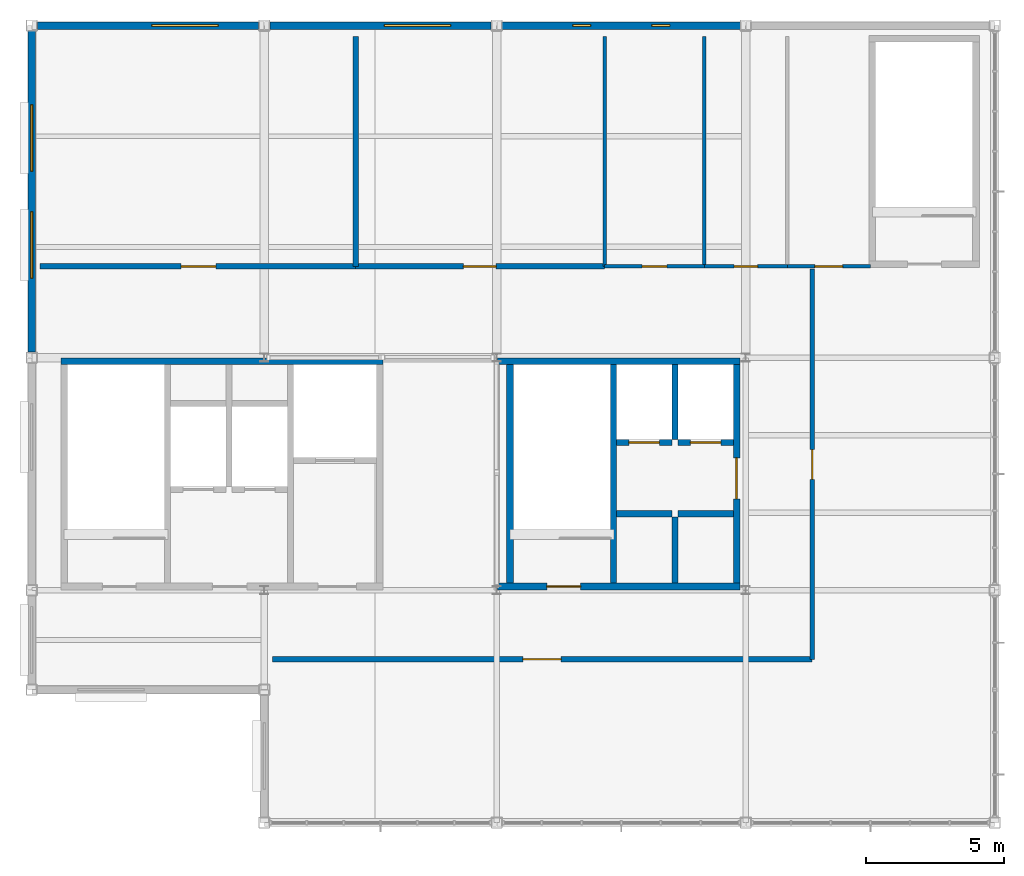
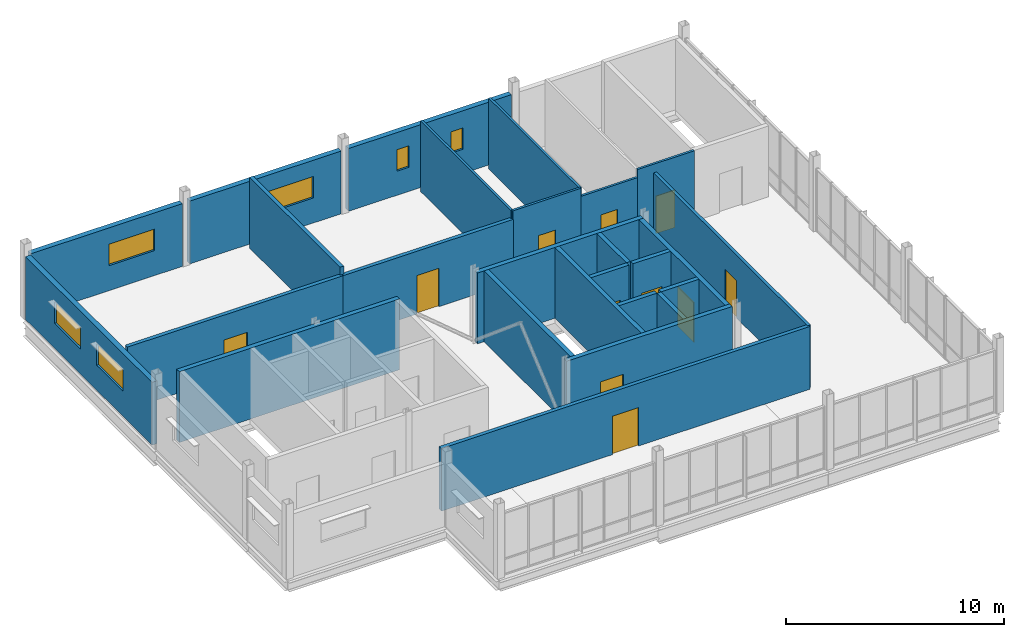
# One storey, part 13 of 15: 26 walls, 11 doors, 6 windows, 17 openings.
"""IFC4 building model written with IfcOpenShell, lengths in metres."""

from ifc_helpers import new_model, si_unit, direction, frame, frame_2d, origin, place, context, subcontext, project, spatial, rectangle, extrude, material, layer, layer_set, type_object, element, fill, save


model = new_model("IFC4")

# Units and contexts
model_context = context("Model", 3, precision=1e-05, world=origin(), true_north=direction((0.0, 1.0)))
body_context = subcontext(model_context, "Body", "Model", "MODEL_VIEW")
ifc_project = project(units=[si_unit("LENGTHUNIT", "METRE"), si_unit("AREAUNIT", "SQUARE_METRE"), si_unit("VOLUMEUNIT", "CUBIC_METRE"), si_unit("PLANEANGLEUNIT", "RADIAN"), si_unit("MASSUNIT", "GRAM", prefix="KILO")], contexts=[model_context])

# Site, building, storey
site_placement = place(None, origin())
site = spatial("IfcSite", under=ifc_project, at=site_placement, CompositionType="ELEMENT")
building_placement = place(site_placement, origin())
building = spatial("IfcBuilding", under=site, at=building_placement, Name="Yukiwa Park Conservatory and Herbarium", CompositionType="ELEMENT")
storey_placement = place(building_placement, frame((0.0, 0.0, 61.199951171875)))
storey = spatial("IfcBuildingStorey", under=building, at=storey_placement, Name="L16", CompositionType="ELEMENT", Elevation=61.199951171875)

# Walls
ifc_material_1 = material(Name="Concrete C40", Category="concrete")
ifc_layer_1 = layer(ifc_material_1, 0.219970703125)
ifc_layer_set_1 = layer_set([ifc_layer_1], Name="Concrete C40")
wall_type_1 = type_object("IfcWallType", Name="WL-CORE-RC220", PredefinedType="SHEAR", material=ifc_layer_set_1)
wall_1_placement = place(storey_placement, frame((154.219970703125, 95.050048828125, 0.0), z_axis=(0.0, 0.0, 1.0), x_axis=(0.0, 1.0, 0.0)))
element("IfcWall", 1, at=wall_1_placement, inside=storey, type_object=wall_type_1, Name="L16 core shear wall 876", PredefinedType="SHEAR", context=body_context, shape_type="SweptSolid", body=[
    extrude(rectangle(XDim=7.89990234375, YDim=0.219970703125, at=frame_2d((3.949951171875, 0.0))), origin(), (0.0, 0.0, 1.0), 3.9599609375),
])
wall_2_placement = place(storey_placement, frame((156.43994140625, 100.25, 0.0), z_axis=(0.0, 0.0, 1.0), x_axis=(0.0, 1.0, 0.0)))
element("IfcWall", 2, at=wall_2_placement, inside=storey, type_object=wall_type_1, Name="L16 core shear wall 878", PredefinedType="SHEAR", context=body_context, shape_type="SweptSolid", body=[
    extrude(rectangle(XDim=2.699951171875, YDim=0.219970703125, at=frame_2d((1.35009765625, 0.0))), origin(), (0.0, 0.0, 1.0), 3.9599609375),
])

# Wall, opening, door
wall_3_placement = place(storey_placement, frame((154.330078125, 100.139892578125, 0.0), z_axis=(0.0, 0.0, 1.0), x_axis=(1.0, 0.0, 0.0)))
wall_3 = element("IfcWall", 3, at=wall_3_placement, inside=storey, type_object=wall_type_1, Name="L16 core shear wall 879", PredefinedType="SHEAR", context=body_context, shape_type="SweptSolid", body=[
    extrude(rectangle(XDim=2.0, YDim=0.219970703125, at=frame_2d((1.0, 0.0))), origin(), (0.0, 0.0, 1.0), 3.9599609375),
])
opening_1_placement = place(wall_3_placement, frame((0.449951171875, 0.0, 0.0)))
opening_1 = element("IfcOpeningElement", 4, at=opening_1_placement, cuts=wall_3, Name="Opening LD-01", PredefinedType="OPENING", context=body_context, shape_type="SweptSolid", body=[
    extrude(rectangle(XDim=1.10009765625, YDim=2.14990234375, at=frame_2d((0.550048828125, 1.074951171875))), frame((0.0, 0.1201171875, 0.0), z_axis=(0.0, -1.0, 0.0), x_axis=(1.0, 0.0, 0.0)), (0.0, 0.0, 1.0), 0.239990234375),
])
ifc_material_2 = material(Name="Steel Q235B", Category="steel")
door_type_1 = type_object("IfcDoorType", Name="DR-LIFT-LD1100", OperationType="SLIDING_TO_LEFT", PredefinedType="DOOR", material=ifc_material_2)
door_1_placement = place(opening_1_placement, origin())
door_1 = element("IfcDoor", 5, at=door_1_placement, inside=storey, type_object=door_type_1, Name="L16 Passenger Lift LP1 sliding landing door", OperationType="SLIDING_TO_LEFT", OverallHeight=2.14990234375, OverallWidth=1.10009765625, PredefinedType="DOOR", context=body_context, shape_type="SweptSolid", body=[
    extrude(rectangle(XDim=1.10009765625, YDim=2.14990234375, at=frame_2d((0.550048828125, 1.074951171875))), frame((0.0, 0.02490234375, 0.0), z_axis=(0.0, -1.0, 0.0), x_axis=(1.0, 0.0, 0.0)), (0.0, 0.0, 1.0), 0.050048828125),
])
fill(opening_1, door_1)

wall_4_placement = place(storey_placement, frame((156.550048828125, 100.139892578125, 0.0), z_axis=(0.0, 0.0, 1.0), x_axis=(1.0, 0.0, 0.0)))
wall_4 = element("IfcWall", 6, at=wall_4_placement, inside=storey, type_object=wall_type_1, Name="L16 core shear wall 880", PredefinedType="SHEAR", context=body_context, shape_type="SweptSolid", body=[
    extrude(rectangle(XDim=2.0, YDim=0.219970703125, at=frame_2d((1.0, 0.0))), origin(), (0.0, 0.0, 1.0), 3.9599609375),
])
opening_2_placement = place(wall_4_placement, frame((0.449951171875, 0.0, 0.0)))
opening_2 = element("IfcOpeningElement", 7, at=opening_2_placement, cuts=wall_4, Name="Opening LD-01", PredefinedType="OPENING", context=body_context, shape_type="SweptSolid", body=[
    extrude(rectangle(XDim=1.10009765625, YDim=2.14990234375, at=frame_2d((0.550048828125, 1.074951171875))), frame((0.0, 0.1201171875, 0.0), z_axis=(0.0, -1.0, 0.0), x_axis=(1.0, 0.0, 0.0)), (0.0, 0.0, 1.0), 0.239990234375),
])
door_2_placement = place(opening_2_placement, origin())
door_2 = element("IfcDoor", 8, at=door_2_placement, inside=storey, type_object=door_type_1, Name="L16 Passenger Lift LP2 sliding landing door", OperationType="SLIDING_TO_LEFT", OverallHeight=2.14990234375, OverallWidth=1.10009765625, PredefinedType="DOOR", context=body_context, shape_type="SweptSolid", body=[
    extrude(rectangle(XDim=1.10009765625, YDim=2.14990234375, at=frame_2d((0.550048828125, 1.074951171875))), frame((0.0, 0.02490234375, 0.0), z_axis=(0.0, -1.0, 0.0), x_axis=(1.0, 0.0, 0.0)), (0.0, 0.0, 1.0), 0.050048828125),
])
fill(opening_2, door_2)

# Walls
wall_5_placement = place(storey_placement, frame((156.43994140625, 95.050048828125, 0.0), z_axis=(0.0, 0.0, 1.0), x_axis=(0.0, 1.0, 0.0)))
element("IfcWall", 9, at=wall_5_placement, inside=storey, type_object=wall_type_1, Name="L16 core shear wall 881", PredefinedType="SHEAR", context=body_context, shape_type="SweptSolid", body=[
    extrude(rectangle(XDim=2.39990234375, YDim=0.219970703125, at=frame_2d((1.199951171875, 0.0))), origin(), (0.0, 0.0, 1.0), 3.9599609375),
])
for number, where, z_axis, x_axis, name in (
    (10, (154.330078125, 97.56005859375, 0.0), (0.0, 0.0, 1.0), (1.0, 0.0, 0.0), "L16 core shear wall 882"),
    (11, (156.550048828125, 97.56005859375, 0.0), (0.0, 0.0, 1.0), (1.0, 0.0, 0.0), "L16 core shear wall 883"),
):
    element("IfcWall", number, at=place(storey_placement, frame(where, z_axis=z_axis, x_axis=x_axis)), inside=storey, type_object=wall_type_1, Name=name, PredefinedType="SHEAR", context=body_context, shape_type="SweptSolid", body=[
        extrude(rectangle(XDim=2.0, YDim=0.219970703125, at=frame_2d((1.0, 0.0))), origin(), (0.0, 0.0, 1.0), 3.9599609375),
    ])
ifc_material_3 = material(Name="Concrete C50", Category="concrete")
ifc_layer_2 = layer(ifc_material_3, 0.239990234375)
ifc_layer_set_2 = layer_set([ifc_layer_2], Name="Concrete C50")
wall_type_2 = type_object("IfcWallType", Name="WL-CORE-RC240", PredefinedType="SHEAR", material=ifc_layer_set_2)
wall_6_placement = place(storey_placement, frame((134.25, 103.070068359375, 0.0), z_axis=(0.0, 0.0, 1.0), x_axis=(1.0, 0.0, 0.0)))
element("IfcWall", 12, at=wall_6_placement, inside=storey, type_object=wall_type_2, Name="L16 core shear wall 862", PredefinedType="SHEAR", context=body_context, shape_type="SweptSolid", body=[
    extrude(rectangle(XDim=11.64990234375, YDim=0.239990234375, at=frame_2d((5.824951171875, 0.0))), origin(), (0.0, 0.0, 1.0), 3.9599609375),
])

# Wall, opening, door
wall_7_placement = place(storey_placement, frame((150.02001953125, 94.929931640625, 0.0), z_axis=(0.0, 0.0, 1.0), x_axis=(1.0, 0.0, 0.0)))
wall_7 = element("IfcWall", 13, at=wall_7_placement, inside=storey, type_object=wall_type_2, Name="L16 core shear wall 873", PredefinedType="SHEAR", context=body_context, shape_type="SweptSolid", body=[
    extrude(rectangle(XDim=8.77001953125, YDim=0.239990234375, at=frame_2d((4.385009765625, 0.0))), origin(), (0.0, 0.0, 1.0), 3.9599609375),
])
opening_3_placement = place(wall_7_placement, frame((1.7900390625, 0.0, 0.0)))
opening_3 = element("IfcOpeningElement", 14, at=opening_3_placement, cuts=wall_7, Name="Opening SD-01", PredefinedType="OPENING", context=body_context, shape_type="SweptSolid", body=[
    extrude(rectangle(XDim=1.219970703125, YDim=2.179931640625, at=frame_2d((0.60986328125, 1.08984375))), frame((0.0, 0.1298828125, 0.0), z_axis=(0.0, -1.0, 0.0), x_axis=(1.0, 0.0, 0.0)), (0.0, 0.0, 1.0), 0.260009765625),
])
ifc_material_4 = material(Name="Steel Q235B", Category="steel")
door_type_2 = type_object("IfcDoorType", Name="DR-STAIR-FD90-1200", OperationType="SINGLE_SWING_LEFT", PredefinedType="DOOR", material=ifc_material_4)
door_3_placement = place(opening_3_placement, origin())
door_3 = element("IfcDoor", 15, at=door_3_placement, inside=storey, type_object=door_type_2, Name="L16 Stairwell ST-T2 fire door", OperationType="SINGLE_SWING_LEFT", OverallHeight=2.179931640625, OverallWidth=1.219970703125, PredefinedType="DOOR", context=body_context, shape_type="SweptSolid", body=[
    extrude(rectangle(XDim=1.219970703125, YDim=2.179931640625, at=frame_2d((0.60986328125, 1.08984375))), frame((0.0, 0.02490234375, 0.0), z_axis=(0.0, -1.0, 0.0), x_axis=(1.0, 0.0, 0.0)), (0.0, 0.0, 1.0), 0.050048828125),
])
fill(opening_3, door_3)

# Walls
wall_8_placement = place(storey_placement, frame((150.02001953125, 103.070068359375, 0.0), z_axis=(0.0, 0.0, 1.0), x_axis=(1.0, 0.0, 0.0)))
element("IfcWall", 16, at=wall_8_placement, inside=storey, type_object=wall_type_2, Name="L16 core shear wall 874", PredefinedType="SHEAR", context=body_context, shape_type="SweptSolid", body=[
    extrude(rectangle(XDim=8.77001953125, YDim=0.239990234375, at=frame_2d((4.385009765625, 0.0))), origin(), (0.0, 0.0, 1.0), 3.9599609375),
])
wall_9_placement = place(storey_placement, frame((150.47998046875, 95.050048828125, 0.0), z_axis=(0.0, 0.0, 1.0), x_axis=(0.0, 1.0, 0.0)))
element("IfcWall", 17, at=wall_9_placement, inside=storey, type_object=wall_type_2, Name="L16 core shear wall 875", PredefinedType="SHEAR", context=body_context, shape_type="SweptSolid", body=[
    extrude(rectangle(XDim=7.89990234375, YDim=0.239990234375, at=frame_2d((3.949951171875, 0.0))), origin(), (0.0, 0.0, 1.0), 3.9599609375),
])

# Wall, opening, door
wall_10_placement = place(storey_placement, frame((158.669921875, 95.050048828125, 0.0), z_axis=(0.0, 0.0, 1.0), x_axis=(0.0, 1.0, 0.0)))
wall_10 = element("IfcWall", 18, at=wall_10_placement, inside=storey, type_object=wall_type_2, Name="L16 core shear wall 877", PredefinedType="SHEAR", context=body_context, shape_type="SweptSolid", body=[
    extrude(rectangle(XDim=7.89990234375, YDim=0.239990234375, at=frame_2d((3.949951171875, 0.0))), origin(), (0.0, 0.0, 1.0), 3.9599609375),
])
opening_4_placement = place(wall_10_placement, frame((3.050048828125, 0.0, 0.0)))
opening_4 = element("IfcOpeningElement", 19, at=opening_4_placement, cuts=wall_10, Name="Opening FD-07", PredefinedType="OPENING", context=body_context, shape_type="SweptSolid", body=[
    extrude(rectangle(XDim=1.47998046875, YDim=2.219970703125, at=frame_2d((0.739990234375, 1.10986328125))), frame((0.0, 0.1298828125, 0.0), z_axis=(0.0, -1.0, 0.0), x_axis=(1.0, 0.0, 0.0)), (0.0, 0.0, 1.0), 0.260009765625),
])
ifc_material_5 = material(Name="Steel Q235B", Category="steel")
door_type_3 = type_object("IfcDoorType", Name="DR-FIRE-FD60-1500", OperationType="DOUBLE_DOOR_SINGLE_SWING", PredefinedType="DOOR", material=ifc_material_5)
door_4_placement = place(opening_4_placement, origin())
door_4 = element("IfcDoor", 20, at=door_4_placement, inside=storey, type_object=door_type_3, Name="L16 Tower Passenger Lift Lobby double fire door", OperationType="DOUBLE_DOOR_SINGLE_SWING", OverallHeight=2.219970703125, OverallWidth=1.47998046875, PredefinedType="DOOR", context=body_context, shape_type="SweptSolid", body=[
    extrude(rectangle(XDim=1.47998046875, YDim=2.219970703125, at=frame_2d((0.739990234375, 1.10986328125))), frame((0.0, 0.02490234375, 0.0), z_axis=(0.0, -1.0, 0.0), x_axis=(1.0, 0.0, 0.0)), (0.0, 0.0, 1.0), 0.050048828125),
])
fill(opening_4, door_4)

# Wall, openings, windows
ifc_material_6 = material(Name="Anodised Aluminium", Category="aluminium")
ifc_layer_3 = layer(ifc_material_6, 0.27001953125)
ifc_layer_set_3 = layer_set([ifc_layer_3], Name="Anodised Aluminium")
wall_type_3 = type_object("IfcWallType", Name="WL-EXT-CROWN-270", PredefinedType="SOLIDWALL", material=ifc_layer_set_3)
wall_11_placement = place(storey_placement, frame((158.800048828125, 115.199951171875, 0.0), z_axis=(0.0, 0.0, 1.0), x_axis=(-1.0, 0.0, 0.0)))
wall_11 = element("IfcWall", 21, at=wall_11_placement, inside=storey, type_object=wall_type_3, Name="L16 exterior envelope wall 404", PredefinedType="SOLIDWALL", context=body_context, shape_type="SweptSolid", body=[
    extrude(rectangle(XDim=8.60009765625, YDim=0.27001953125, at=frame_2d((4.300048828125, 0.0))), origin(), (0.0, 0.0, 1.0), 3.510009765625),
])
opening_5_placement = place(wall_11_placement, frame((2.5419921875, 0.0, 1.35009765625)))
opening_5 = element("IfcOpeningElement", 22, at=opening_5_placement, cuts=wall_11, Name="Opening W-19", PredefinedType="OPENING", context=body_context, shape_type="SweptSolid", body=[
    extrude(rectangle(XDim=0.64990234375, YDim=1.199951171875, at=frame_2d((0.324951171875, 0.60009765625))), frame((0.0, 0.14501953125, 0.0), z_axis=(0.0, -1.0, 0.0), x_axis=(1.0, 0.0, 0.0)), (0.0, 0.0, 1.0), 0.2900390625),
])
opening_6_placement = place(wall_11_placement, frame((5.407958984375, 0.0, 1.35009765625)))
opening_6 = element("IfcOpeningElement", 23, at=opening_6_placement, cuts=wall_11, Name="Opening W-19", PredefinedType="OPENING", context=body_context, shape_type="SweptSolid", body=[
    extrude(rectangle(XDim=0.64990234375, YDim=1.199951171875, at=frame_2d((0.324951171875, 0.60009765625))), frame((0.0, 0.14501953125, 0.0), z_axis=(0.0, -1.0, 0.0), x_axis=(1.0, 0.0, 0.0)), (0.0, 0.0, 1.0), 0.2900390625),
])
ifc_material_7 = material(Name="Triple Low-E Insulated Glass", Category="glass")
window_type_1 = type_object("IfcWindowType", Name="WN-WC-0650X1200", PartitioningType="SINGLE_PANEL", PredefinedType="WINDOW", material=ifc_material_7)
window_1_placement = place(opening_5_placement, origin())
window_1 = element("IfcWindow", 24, at=window_1_placement, inside=storey, type_object=window_type_1, Name="L16 deep-reveal triple-glazed window 289", OverallHeight=1.199951171875, OverallWidth=0.64990234375, PartitioningType="SINGLE_PANEL", PredefinedType="WINDOW", context=body_context, shape_type="SweptSolid", body=[
    extrude(rectangle(XDim=0.64990234375, YDim=1.199951171875, at=frame_2d((0.324951171875, 0.60009765625))), frame((0.0, 0.030029296875, 0.0), z_axis=(0.0, -1.0, 0.0), x_axis=(1.0, 0.0, 0.0)), (0.0, 0.0, 1.0), 0.06005859375),
])
fill(opening_5, window_1)
window_2_placement = place(opening_6_placement, origin())
window_2 = element("IfcWindow", 25, at=window_2_placement, inside=storey, type_object=window_type_1, Name="L16 deep-reveal triple-glazed window 290", OverallHeight=1.199951171875, OverallWidth=0.64990234375, PartitioningType="SINGLE_PANEL", PredefinedType="WINDOW", context=body_context, shape_type="SweptSolid", body=[
    extrude(rectangle(XDim=0.64990234375, YDim=1.199951171875, at=frame_2d((0.324951171875, 0.60009765625))), frame((0.0, 0.030029296875, 0.0), z_axis=(0.0, -1.0, 0.0), x_axis=(1.0, 0.0, 0.0)), (0.0, 0.0, 1.0), 0.06005859375),
])
fill(opening_6, window_2)

# Wall, opening, window
wall_12_placement = place(storey_placement, frame((149.800048828125, 115.199951171875, 0.0), z_axis=(0.0, 0.0, 1.0), x_axis=(-1.0, 0.0, 0.0)))
wall_12 = element("IfcWall", 26, at=wall_12_placement, inside=storey, type_object=wall_type_3, Name="L16 exterior envelope wall 405", PredefinedType="SOLIDWALL", context=body_context, shape_type="SweptSolid", body=[
    extrude(rectangle(XDim=8.0, YDim=0.27001953125, at=frame_2d((4.0, 0.0))), origin(), (0.0, 0.0, 1.0), 3.510009765625),
])
opening_7_placement = place(wall_12_placement, frame((1.467041015625, 0.0, 1.39990234375)))
opening_7 = element("IfcOpeningElement", 27, at=opening_7_placement, cuts=wall_12, Name="Opening W-16", PredefinedType="OPENING", context=body_context, shape_type="SweptSolid", body=[
    extrude(rectangle(XDim=2.39990234375, YDim=1.199951171875, at=frame_2d((1.199951171875, 0.60009765625))), frame((0.0, 0.14501953125, 0.0), z_axis=(0.0, -1.0, 0.0), x_axis=(1.0, 0.0, 0.0)), (0.0, 0.0, 1.0), 0.2900390625),
])
ifc_material_8 = material(Name="Triple Low-E Insulated Glass", Category="glass")
window_type_2 = type_object("IfcWindowType", Name="WN-CL-2400X1200", PartitioningType="SINGLE_PANEL", PredefinedType="LIGHTDOME", material=ifc_material_8)
window_3_placement = place(opening_7_placement, origin())
window_3 = element("IfcWindow", 28, at=window_3_placement, inside=storey, type_object=window_type_2, Name="L16 deep-reveal triple-glazed window 291", OverallHeight=1.199951171875, OverallWidth=2.39990234375, PartitioningType="SINGLE_PANEL", PredefinedType="LIGHTDOME", context=body_context, shape_type="SweptSolid", body=[
    extrude(rectangle(XDim=2.39990234375, YDim=1.199951171875, at=frame_2d((1.199951171875, 0.60009765625))), frame((0.0, 0.030029296875, 0.0), z_axis=(0.0, -1.0, 0.0), x_axis=(1.0, 0.0, 0.0)), (0.0, 0.0, 1.0), 0.06005859375),
])
fill(opening_7, window_3)

wall_13_placement = place(storey_placement, frame((141.39990234375, 115.199951171875, 0.0), z_axis=(0.0, 0.0, 1.0), x_axis=(-1.0, 0.0, 0.0)))
wall_13 = element("IfcWall", 29, at=wall_13_placement, inside=storey, type_object=wall_type_3, Name="L16 exterior envelope wall 406", PredefinedType="SOLIDWALL", context=body_context, shape_type="SweptSolid", body=[
    extrude(rectangle(XDim=8.0, YDim=0.27001953125, at=frame_2d((4.0, 0.0))), origin(), (0.0, 0.0, 1.0), 3.510009765625),
])
opening_8_placement = place(wall_13_placement, frame((1.467041015625, 0.0, 1.39990234375)))
opening_8 = element("IfcOpeningElement", 30, at=opening_8_placement, cuts=wall_13, Name="Opening W-16", PredefinedType="OPENING", context=body_context, shape_type="SweptSolid", body=[
    extrude(rectangle(XDim=2.39990234375, YDim=1.199951171875, at=frame_2d((1.199951171875, 0.60009765625))), frame((0.0, 0.14501953125, 0.0), z_axis=(0.0, -1.0, 0.0), x_axis=(1.0, 0.0, 0.0)), (0.0, 0.0, 1.0), 0.2900390625),
])
window_4_placement = place(opening_8_placement, origin())
window_4 = element("IfcWindow", 31, at=window_4_placement, inside=storey, type_object=window_type_2, Name="L16 deep-reveal triple-glazed window 292", OverallHeight=1.199951171875, OverallWidth=2.39990234375, PartitioningType="SINGLE_PANEL", PredefinedType="LIGHTDOME", context=body_context, shape_type="SweptSolid", body=[
    extrude(rectangle(XDim=2.39990234375, YDim=1.199951171875, at=frame_2d((1.199951171875, 0.60009765625))), frame((0.0, 0.030029296875, 0.0), z_axis=(0.0, -1.0, 0.0), x_axis=(1.0, 0.0, 0.0)), (0.0, 0.0, 1.0), 0.06005859375),
])
fill(opening_8, window_4)

# Wall, openings, windows
wall_14_placement = place(storey_placement, frame((133.199951171875, 115.0, 0.0), z_axis=(0.0, 0.0, 1.0), x_axis=(0.0, -1.0, 0.0)))
wall_14 = element("IfcWall", 32, at=wall_14_placement, inside=storey, type_object=wall_type_3, Name="L16 exterior envelope wall 407", PredefinedType="SOLIDWALL", context=body_context, shape_type="SweptSolid", body=[
    extrude(rectangle(XDim=11.60009765625, YDim=0.27001953125, at=frame_2d((5.800048828125, 0.0))), origin(), (0.0, 0.0, 1.0), 3.510009765625),
])
opening_9_placement = place(wall_14_placement, frame((2.6669921875, 0.0, 1.39990234375)))
opening_9 = element("IfcOpeningElement", 33, at=opening_9_placement, cuts=wall_14, Name="Opening W-16", PredefinedType="OPENING", context=body_context, shape_type="SweptSolid", body=[
    extrude(rectangle(XDim=2.39990234375, YDim=1.199951171875, at=frame_2d((1.199951171875, 0.60009765625))), frame((0.0, 0.14501953125, 0.0), z_axis=(0.0, -1.0, 0.0), x_axis=(1.0, 0.0, 0.0)), (0.0, 0.0, 1.0), 0.2900390625),
])
opening_10_placement = place(wall_14_placement, frame((6.532958984375, 0.0, 1.39990234375)))
opening_10 = element("IfcOpeningElement", 34, at=opening_10_placement, cuts=wall_14, Name="Opening W-16", PredefinedType="OPENING", context=body_context, shape_type="SweptSolid", body=[
    extrude(rectangle(XDim=2.39990234375, YDim=1.199951171875, at=frame_2d((1.199951171875, 0.60009765625))), frame((0.0, 0.14501953125, 0.0), z_axis=(0.0, -1.0, 0.0), x_axis=(1.0, 0.0, 0.0)), (0.0, 0.0, 1.0), 0.2900390625),
])
window_5_placement = place(opening_9_placement, origin())
window_5 = element("IfcWindow", 35, at=window_5_placement, inside=storey, type_object=window_type_2, Name="L16 deep-reveal triple-glazed window 293", OverallHeight=1.199951171875, OverallWidth=2.39990234375, PartitioningType="SINGLE_PANEL", PredefinedType="LIGHTDOME", context=body_context, shape_type="SweptSolid", body=[
    extrude(rectangle(XDim=2.39990234375, YDim=1.199951171875, at=frame_2d((1.199951171875, 0.60009765625))), frame((0.0, 0.030029296875, 0.0), z_axis=(0.0, -1.0, 0.0), x_axis=(1.0, 0.0, 0.0)), (0.0, 0.0, 1.0), 0.06005859375),
])
fill(opening_9, window_5)
window_6_placement = place(opening_10_placement, origin())
window_6 = element("IfcWindow", 36, at=window_6_placement, inside=storey, type_object=window_type_2, Name="L16 deep-reveal triple-glazed window 294", OverallHeight=1.199951171875, OverallWidth=2.39990234375, PartitioningType="SINGLE_PANEL", PredefinedType="LIGHTDOME", context=body_context, shape_type="SweptSolid", body=[
    extrude(rectangle(XDim=2.39990234375, YDim=1.199951171875, at=frame_2d((1.199951171875, 0.60009765625))), frame((0.0, 0.030029296875, 0.0), z_axis=(0.0, -1.0, 0.0), x_axis=(1.0, 0.0, 0.0)), (0.0, 0.0, 1.0), 0.06005859375),
])
fill(opening_10, window_6)

# Wall, opening, door
ifc_material_9 = material(Name="Gypsum Board Partition", Category="gypsum")
ifc_layer_4 = layer(ifc_material_9, 0.199951171875)
ifc_layer_set_4 = layer_set([ifc_layer_4], Name="Gypsum Board Partition")
wall_type_4 = type_object("IfcWallType", Name="WL-PART-FIRE-200", PredefinedType="SOLIDWALL", material=ifc_layer_set_4)
wall_15_placement = place(storey_placement, frame((141.89990234375, 92.300048828125, 0.0), z_axis=(0.0, 0.0, 1.0), x_axis=(1.0, 0.0, 0.0)))
wall_15 = element("IfcWall", 37, at=wall_15_placement, inside=storey, type_object=wall_type_4, Name="L16 interior partition wall 895", PredefinedType="SOLIDWALL", context=body_context, shape_type="SweptSolid", body=[
    extrude(rectangle(XDim=19.5, YDim=0.199951171875, at=frame_2d((9.75, 0.0))), origin(), (0.0, 0.0, 1.0), 3.510009765625),
])
opening_11_placement = place(wall_15_placement, frame((9.050048828125, 0.0, 0.0)))
opening_11 = element("IfcOpeningElement", 38, at=opening_11_placement, cuts=wall_15, Name="Opening FD-06", PredefinedType="OPENING", context=body_context, shape_type="SweptSolid", body=[
    extrude(rectangle(XDim=1.3798828125, YDim=2.14990234375, at=frame_2d((0.68994140625, 1.074951171875))), frame((0.0, 0.10986328125, 0.0), z_axis=(0.0, -1.0, 0.0), x_axis=(1.0, 0.0, 0.0)), (0.0, 0.0, 1.0), 0.219970703125),
])
ifc_material_10 = material(Name="Steel Q235B", Category="steel")
door_type_4 = type_object("IfcDoorType", Name="DR-FIRE-FD60-1400", OperationType="DOUBLE_DOOR_SINGLE_SWING", PredefinedType="DOOR", material=ifc_material_10)
door_5_placement = place(opening_11_placement, origin())
door_5 = element("IfcDoor", 39, at=door_5_placement, inside=storey, type_object=door_type_4, Name="L16 AHU Plant double fire door", OperationType="DOUBLE_DOOR_SINGLE_SWING", OverallHeight=2.14990234375, OverallWidth=1.3798828125, PredefinedType="DOOR", context=body_context, shape_type="SweptSolid", body=[
    extrude(rectangle(XDim=1.3798828125, YDim=2.14990234375, at=frame_2d((0.68994140625, 1.074951171875))), frame((0.0, 0.02490234375, 0.0), z_axis=(0.0, -1.0, 0.0), x_axis=(1.0, 0.0, 0.0)), (0.0, 0.0, 1.0), 0.050048828125),
])
fill(opening_11, door_5)

wall_16_placement = place(storey_placement, frame((133.5, 106.5, 0.0), z_axis=(0.0, 0.0, 1.0), x_axis=(1.0, 0.0, 0.0)))
wall_16 = element("IfcWall", 40, at=wall_16_placement, inside=storey, type_object=wall_type_4, Name="L16 interior partition wall 896", PredefinedType="SOLIDWALL", context=body_context, shape_type="SweptSolid", body=[
    extrude(rectangle(XDim=11.39990234375, YDim=0.199951171875, at=frame_2d((5.699951171875, 0.0))), origin(), (0.0, 0.0, 1.0), 3.510009765625),
])
opening_12_placement = place(wall_16_placement, frame((5.10009765625, 0.0, 0.0)))
opening_12 = element("IfcOpeningElement", 41, at=opening_12_placement, cuts=wall_16, Name="Opening LD-12", PredefinedType="OPENING", context=body_context, shape_type="SweptSolid", body=[
    extrude(rectangle(XDim=1.25, YDim=2.1201171875, at=frame_2d((0.625, 1.06005859375))), frame((0.0, 0.10986328125, 0.0), z_axis=(0.0, -1.0, 0.0), x_axis=(1.0, 0.0, 0.0)), (0.0, 0.0, 1.0), 0.219970703125),
])
ifc_material_11 = material(Name="Steel Q235B", Category="steel")
door_type_5 = type_object("IfcDoorType", Name="DR-LAB-1200", OperationType="SINGLE_SWING_LEFT", PredefinedType="DOOR", material=ifc_material_11)
door_6_placement = place(opening_12_placement, origin())
door_6 = element("IfcDoor", 42, at=door_6_placement, inside=storey, type_object=door_type_5, Name="L16 Aerobiology Research Laboratory door", OperationType="SINGLE_SWING_LEFT", OverallHeight=2.1201171875, OverallWidth=1.25, PredefinedType="DOOR", context=body_context, shape_type="SweptSolid", body=[
    extrude(rectangle(XDim=1.25, YDim=2.1201171875, at=frame_2d((0.625, 1.06005859375))), frame((0.0, 0.02490234375, 0.0), z_axis=(0.0, -1.0, 0.0), x_axis=(1.0, 0.0, 0.0)), (0.0, 0.0, 1.0), 0.050048828125),
])
fill(opening_12, door_6)

wall_17_placement = place(storey_placement, frame((144.89990234375, 106.5, 0.0), z_axis=(0.0, 0.0, 1.0), x_axis=(1.0, 0.0, 0.0)))
wall_17 = element("IfcWall", 43, at=wall_17_placement, inside=storey, type_object=wall_type_4, Name="L16 interior partition wall 897", PredefinedType="SOLIDWALL", context=body_context, shape_type="SweptSolid", body=[
    extrude(rectangle(XDim=9.0, YDim=0.199951171875, at=frame_2d((4.5, 0.0))), origin(), (0.0, 0.0, 1.0), 3.510009765625),
])
opening_13_placement = place(wall_17_placement, frame((3.89990234375, 0.0, 0.0)))
opening_13 = element("IfcOpeningElement", 44, at=opening_13_placement, cuts=wall_17, Name="Opening FD-05", PredefinedType="OPENING", context=body_context, shape_type="SweptSolid", body=[
    extrude(rectangle(XDim=1.179931640625, YDim=2.14990234375, at=frame_2d((0.58984375, 1.074951171875))), frame((0.0, 0.10986328125, 0.0), z_axis=(0.0, -1.0, 0.0), x_axis=(1.0, 0.0, 0.0)), (0.0, 0.0, 1.0), 0.219970703125),
])
ifc_material_12 = material(Name="Steel Q235B", Category="steel")
door_type_6 = type_object("IfcDoorType", Name="DR-FIRE-FD60-1200", OperationType="SINGLE_SWING_LEFT", PredefinedType="DOOR", material=ifc_material_12)
door_7_placement = place(opening_13_placement, origin())
door_7 = element("IfcDoor", 45, at=door_7_placement, inside=storey, type_object=door_type_6, Name="L16 Telemetry Control Office door", OperationType="SINGLE_SWING_LEFT", OverallHeight=2.14990234375, OverallWidth=1.179931640625, PredefinedType="DOOR", context=body_context, shape_type="SweptSolid", body=[
    extrude(rectangle(XDim=1.179931640625, YDim=2.14990234375, at=frame_2d((0.58984375, 1.074951171875))), frame((0.0, 0.02490234375, 0.0), z_axis=(0.0, -1.0, 0.0), x_axis=(1.0, 0.0, 0.0)), (0.0, 0.0, 1.0), 0.050048828125),
])
fill(opening_13, door_7)

# Wall
wall_18_placement = place(storey_placement, frame((144.89990234375, 106.5, 0.0), z_axis=(0.0, 0.0, 1.0), x_axis=(0.0, 1.0, 0.0)))
element("IfcWall", 46, at=wall_18_placement, inside=storey, type_object=wall_type_4, Name="L16 interior partition wall 898", PredefinedType="SOLIDWALL", context=body_context, shape_type="SweptSolid", body=[
    extrude(rectangle(XDim=8.300048828125, YDim=0.199951171875, at=frame_2d((4.14990234375, 0.0))), origin(), (0.0, 0.0, 1.0), 3.9599609375),
])

# Wall, opening, door
ifc_material_13 = material(Name="Gypsum Board Partition", Category="gypsum")
ifc_layer_5 = layer(ifc_material_13, 0.159912109375)
ifc_layer_set_5 = layer_set([ifc_layer_5], Name="Gypsum Board Partition")
wall_type_5 = type_object("IfcWallType", Name="WL-PART-GYP-160", PredefinedType="PARTITIONING", material=ifc_layer_set_5)
wall_19_placement = place(storey_placement, frame((161.39990234375, 92.300048828125, 0.0), z_axis=(0.0, 0.0, 1.0), x_axis=(0.0, 1.0, 0.0)))
wall_19 = element("IfcWall", 47, at=wall_19_placement, inside=storey, type_object=wall_type_5, Name="L16 interior partition wall 894", PredefinedType="PARTITIONING", context=body_context, shape_type="SweptSolid", body=[
    extrude(rectangle(XDim=14.099853515625, YDim=0.159912109375, at=frame_2d((7.0498046875, 0.0))), origin(), (0.0, 0.0, 1.0), 3.510009765625),
])
opening_14_placement = place(wall_19_placement, frame((6.5, 0.0, 0.0)))
opening_14 = element("IfcOpeningElement", 48, at=opening_14_placement, cuts=wall_19, Name="Opening ID-11", PredefinedType="OPENING", context=body_context, shape_type="SweptSolid", body=[
    extrude(rectangle(XDim=1.080078125, YDim=2.080078125, at=frame_2d((0.5400390625, 1.0400390625))), frame((0.0, 0.08984375, 0.0), z_axis=(0.0, -1.0, 0.0), x_axis=(1.0, 0.0, 0.0)), (0.0, 0.0, 1.0), 0.179931640625),
])
ifc_material_14 = material(Name="Charred Larch Cladding", Category="wood")
door_type_7 = type_object("IfcDoorType", Name="DR-INT-1100", OperationType="SINGLE_SWING_RIGHT", PredefinedType="DOOR", material=ifc_material_14)
door_8_placement = place(opening_14_placement, origin())
door_8 = element("IfcDoor", 49, at=door_8_placement, inside=storey, type_object=door_type_7, Name="L16 L16 east room door", OperationType="SINGLE_SWING_RIGHT", OverallHeight=2.080078125, OverallWidth=1.080078125, PredefinedType="DOOR", context=body_context, shape_type="SweptSolid", body=[
    extrude(rectangle(XDim=1.080078125, YDim=2.080078125, at=frame_2d((0.5400390625, 1.0400390625))), frame((0.0, 0.02490234375, 0.0), z_axis=(0.0, -1.0, 0.0), x_axis=(1.0, 0.0, 0.0)), (0.0, 0.0, 1.0), 0.050048828125),
])
fill(opening_14, door_8)

ifc_material_15 = material(Name="Gypsum Board Partition", Category="gypsum")
ifc_layer_6 = layer(ifc_material_15, 0.1201171875)
ifc_layer_set_6 = layer_set([ifc_layer_6], Name="Gypsum Board Partition")
wall_type_6 = type_object("IfcWallType", Name="WL-PART-WET-150", PredefinedType="PARTITIONING", material=ifc_layer_set_6)
wall_20_placement = place(storey_placement, frame((153.89990234375, 106.5, 0.0), z_axis=(0.0, 0.0, 1.0), x_axis=(1.0, 0.0, 0.0)))
wall_20 = element("IfcWall", 50, at=wall_20_placement, inside=storey, type_object=wall_type_6, Name="L16 interior partition wall 888", PredefinedType="PARTITIONING", context=body_context, shape_type="SweptSolid", body=[
    extrude(rectangle(XDim=3.60009765625, YDim=0.1201171875, at=frame_2d((1.800048828125, 0.0))), origin(), (0.0, 0.0, 1.0), 3.9599609375),
])
opening_15_placement = place(wall_20_placement, frame((1.35009765625, 0.0, 0.0)))
opening_15 = element("IfcOpeningElement", 51, at=opening_15_placement, cuts=wall_20, Name="Opening ID-09", PredefinedType="OPENING", context=body_context, shape_type="SweptSolid", body=[
    extrude(rectangle(XDim=0.89990234375, YDim=2.10009765625, at=frame_2d((0.449951171875, 1.050048828125))), frame((0.0, 0.070068359375, 0.0), z_axis=(0.0, -1.0, 0.0), x_axis=(1.0, 0.0, 0.0)), (0.0, 0.0, 1.0), 0.14013671875),
])
ifc_material_16 = material(Name="Charred Larch Cladding", Category="wood")
door_type_8 = type_object("IfcDoorType", Name="DR-INT-900", OperationType="SINGLE_SWING_LEFT", PredefinedType="DOOR", material=ifc_material_16)
door_9_placement = place(opening_15_placement, origin())
door_9 = element("IfcDoor", 52, at=door_9_placement, inside=storey, type_object=door_type_8, Name="L16 Public WC door", OperationType="SINGLE_SWING_LEFT", OverallHeight=2.10009765625, OverallWidth=0.89990234375, PredefinedType="DOOR", context=body_context, shape_type="SweptSolid", body=[
    extrude(rectangle(XDim=0.89990234375, YDim=2.10009765625, at=frame_2d((0.449951171875, 1.050048828125))), frame((0.0, 0.02490234375, 0.0), z_axis=(0.0, -1.0, 0.0), x_axis=(1.0, 0.0, 0.0)), (0.0, 0.0, 1.0), 0.050048828125),
])
fill(opening_15, door_9)

wall_21_placement = place(storey_placement, frame((157.5, 106.5, 0.0), z_axis=(0.0, 0.0, 1.0), x_axis=(1.0, 0.0, 0.0)))
wall_21 = element("IfcWall", 53, at=wall_21_placement, inside=storey, type_object=wall_type_6, Name="L16 interior partition wall 889", PredefinedType="PARTITIONING", context=body_context, shape_type="SweptSolid", body=[
    extrude(rectangle(XDim=3.0, YDim=0.1201171875, at=frame_2d((1.5, 0.0))), origin(), (0.0, 0.0, 1.0), 3.510009765625),
])
opening_16_placement = place(wall_21_placement, frame((1.074951171875, 0.0, 0.0)))
opening_16 = element("IfcOpeningElement", 54, at=opening_16_placement, cuts=wall_21, Name="Opening ID-85", PredefinedType="OPENING", context=body_context, shape_type="SweptSolid", body=[
    extrude(rectangle(XDim=0.85009765625, YDim=2.10009765625, at=frame_2d((0.425048828125, 1.050048828125))), frame((0.0, 0.070068359375, 0.0), z_axis=(0.0, -1.0, 0.0), x_axis=(1.0, 0.0, 0.0)), (0.0, 0.0, 1.0), 0.14013671875),
])
ifc_material_17 = material(Name="Charred Larch Cladding", Category="wood")
door_type_9 = type_object("IfcDoorType", Name="DR-INT-850", OperationType="SINGLE_SWING_RIGHT", PredefinedType="DOOR", material=ifc_material_17)
door_10_placement = place(opening_16_placement, origin())
door_10 = element("IfcDoor", 55, at=door_10_placement, inside=storey, type_object=door_type_9, Name="L16 Staff WC door", OperationType="SINGLE_SWING_RIGHT", OverallHeight=2.10009765625, OverallWidth=0.85009765625, PredefinedType="DOOR", context=body_context, shape_type="SweptSolid", body=[
    extrude(rectangle(XDim=0.85009765625, YDim=2.10009765625, at=frame_2d((0.425048828125, 1.050048828125))), frame((0.0, 0.02490234375, 0.0), z_axis=(0.0, -1.0, 0.0), x_axis=(1.0, 0.0, 0.0)), (0.0, 0.0, 1.0), 0.050048828125),
])
fill(opening_16, door_10)

wall_22_placement = place(storey_placement, frame((160.5, 106.5, 0.0), z_axis=(0.0, 0.0, 1.0), x_axis=(1.0, 0.0, 0.0)))
wall_22 = element("IfcWall", 56, at=wall_22_placement, inside=storey, type_object=wall_type_6, Name="L16 interior partition wall 890", PredefinedType="PARTITIONING", context=body_context, shape_type="SweptSolid", body=[
    extrude(rectangle(XDim=3.0, YDim=0.1201171875, at=frame_2d((1.5, 0.0))), origin(), (0.0, 0.0, 1.0), 3.9599609375),
])
opening_17_placement = place(wall_22_placement, frame((1.0, 0.0, 0.0)))
opening_17 = element("IfcOpeningElement", 57, at=opening_17_placement, cuts=wall_22, Name="Opening ID-10", PredefinedType="OPENING", context=body_context, shape_type="SweptSolid", body=[
    extrude(rectangle(XDim=1.0, YDim=2.10009765625, at=frame_2d((0.5, 1.050048828125))), frame((0.0, 0.070068359375, 0.0), z_axis=(0.0, -1.0, 0.0), x_axis=(1.0, 0.0, 0.0)), (0.0, 0.0, 1.0), 0.14013671875),
])
ifc_material_18 = material(Name="Charred Larch Cladding", Category="wood")
door_type_10 = type_object("IfcDoorType", Name="DR-ACC-1000", OperationType="SINGLE_SWING_LEFT", PredefinedType="DOOR", material=ifc_material_18)
door_11_placement = place(opening_17_placement, origin())
door_11 = element("IfcDoor", 58, at=door_11_placement, inside=storey, type_object=door_type_10, Name="L16 Accessible WC door", OperationType="SINGLE_SWING_LEFT", OverallHeight=2.10009765625, OverallWidth=1.0, PredefinedType="DOOR", context=body_context, shape_type="SweptSolid", body=[
    extrude(rectangle(XDim=1.0, YDim=2.10009765625, at=frame_2d((0.5, 1.050048828125))), frame((0.0, 0.02490234375, 0.0), z_axis=(0.0, -1.0, 0.0), x_axis=(1.0, 0.0, 0.0)), (0.0, 0.0, 1.0), 0.050048828125),
])
fill(opening_17, door_11)

# Walls
for number, where, z_axis, x_axis, name in (
    (59, (153.89990234375, 106.5, 0.0), (0.0, 0.0, 1.0), (0.0, 1.0, 0.0), "L16 interior partition wall 891"),
    (60, (157.5, 106.5, 0.0), (0.0, 0.0, 1.0), (0.0, 1.0, 0.0), "L16 interior partition wall 892"),
):
    element("IfcWall", number, at=place(storey_placement, frame(where, z_axis=z_axis, x_axis=x_axis)), inside=storey, type_object=wall_type_6, Name=name, PredefinedType="PARTITIONING", context=body_context, shape_type="SweptSolid", body=[
        extrude(rectangle(XDim=8.300048828125, YDim=0.1201171875, at=frame_2d((4.14990234375, 0.0))), origin(), (0.0, 0.0, 1.0), 3.9599609375),
    ])

save(model, "model.ifc")
